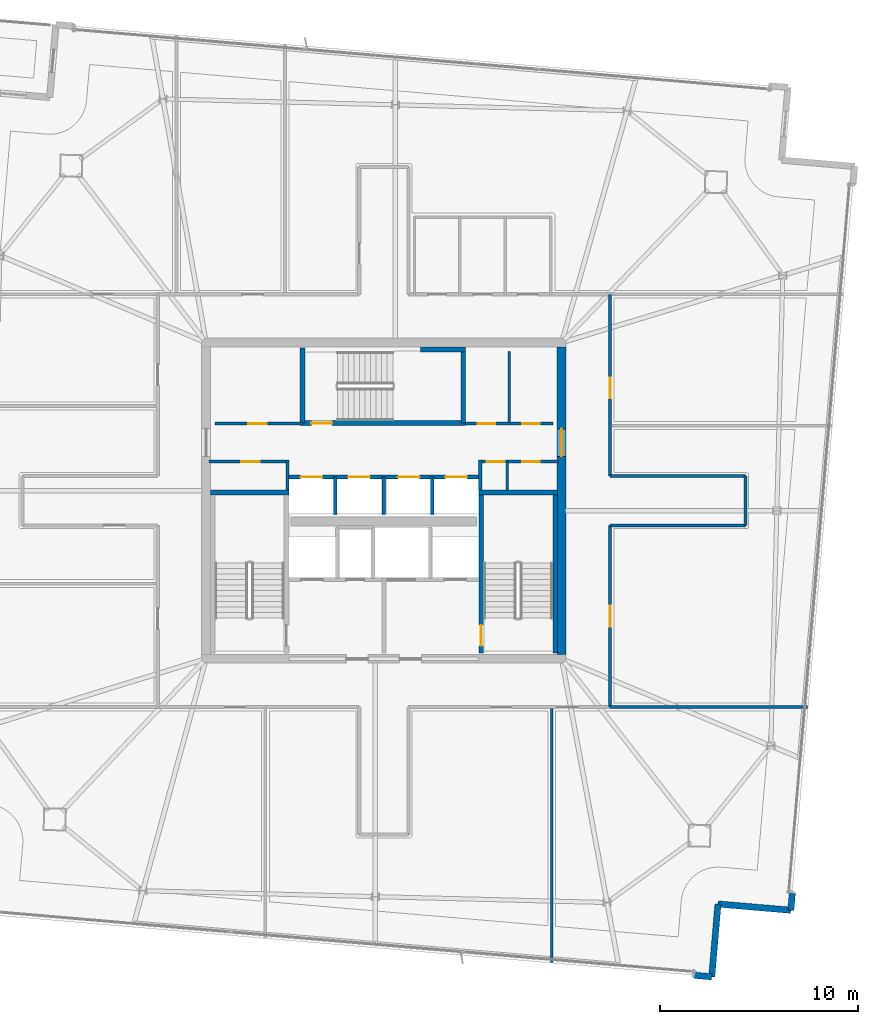
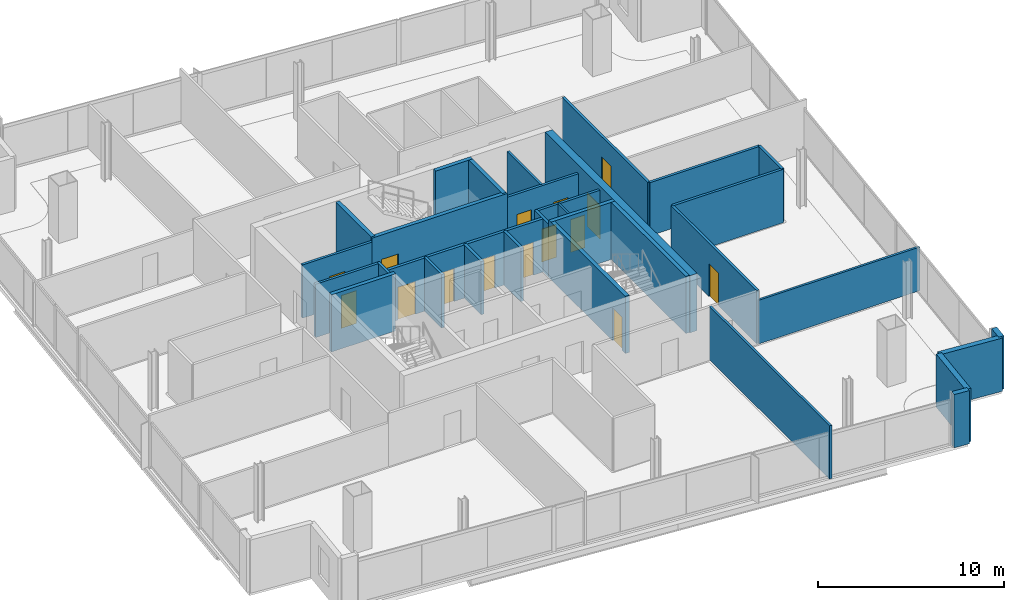
# One storey, part 20 of 24: 32 walls, 15 doors, 15 openings.
"""IFC4 building model written with IfcOpenShell, lengths in metres."""

import ifcopenshell
import ifcopenshell.guid

model = None  # the IFC model being written
_history = None  # IfcOwnerHistory: only IFC2X3 demands one
_inside = {}  # id of a spatial element -> (the spatial element, [elements in it])
_under = {}  # id of a project, library or spatial element -> (it, [spatial elements below it])
_declared = {}  # id of a project -> (the project, [libraries it declares])
_typed = {}  # id of a type object -> (the type object, [elements of that type])
_made_of = {}  # id of a material, layer set ... -> (it, [elements and type objects made of it])


def new_model(schema):
    """Start an empty IFC model of exactly this schema.

    Asked for "IFC4X3", IfcOpenShell would pick the latest addendum, in which some entities
    have other attributes; the version numbers below select the first issue.
    IFC2X3 requires an IfcOwnerHistory on every rooted entity: one is made here for all.
    """
    global model, _history
    if schema == "IFC4X3":
        model = ifcopenshell.file(schema_version=(4, 3, 0, 0))
    else:
        model = ifcopenshell.file(schema=schema)
    _inside.clear()
    _under.clear()
    _declared.clear()
    _typed.clear()
    _made_of.clear()
    _history = None
    if model.schema == "IFC2X3":
        org = make("IfcOrganization", Name="unknown")
        user = make(
            "IfcPersonAndOrganization",
            ThePerson=make("IfcPerson", FamilyName="unknown"),
            TheOrganization=org,
        )
        app = make(
            "IfcApplication",
            ApplicationDeveloper=org,
            Version="unknown",
            ApplicationFullName="unknown",
            ApplicationIdentifier="unknown",
        )
        _history = make(
            "IfcOwnerHistory",
            OwningUser=user,
            OwningApplication=app,
            ChangeAction="ADDED",
            CreationDate=0,
        )
    return model


def make(cls, **values):
    """One entity of the class cls with the attributes given. An attribute that is None is left unset."""
    return model.create_entity(
        cls, **{name: value for name, value in values.items() if value is not None}
    )


def rooted(cls, **values):
    """An entity with a GlobalId (a new one), such as an element, a storey or a relation."""
    return make(cls, GlobalId=ifcopenshell.guid.new(), OwnerHistory=_history, **values)


def si_unit(unit_type, name, prefix=None):
    """IfcSIUnit, for example si_unit("LENGTHUNIT", "METRE", prefix="MILLI")."""
    return make("IfcSIUnit", UnitType=unit_type, Prefix=prefix, Name=name)


def assignment(units):
    """IfcUnitAssignment: the units of a project."""
    return None if units is None else make("IfcUnitAssignment", Units=units)


def point(xyz):
    """IfcCartesianPoint."""
    return None if xyz is None else make("IfcCartesianPoint", Coordinates=xyz)


def direction(xyz):
    """IfcDirection."""
    return None if xyz is None else make("IfcDirection", DirectionRatios=xyz)


def frame(location, z_axis=None, x_axis=None):
    """IfcAxis2Placement3D, a coordinate frame: its origin and axes. An axis left out is left unset."""
    return make(
        "IfcAxis2Placement3D",
        Location=point(location),
        Axis=direction(z_axis),
        RefDirection=direction(x_axis),
    )


def frame_2d(location, x_axis=None):
    """IfcAxis2Placement2D, a coordinate frame in the plane: its origin and x axis."""
    return make(
        "IfcAxis2Placement2D", Location=point(location), RefDirection=direction(x_axis)
    )


def origin():
    """The frame at (0, 0, 0) with its axes left unset."""
    return frame((0.0, 0.0, 0.0))


def place(relative_to, where):
    """IfcLocalPlacement: puts the frame where relative to a parent placement (None: the world)."""
    return make(
        "IfcLocalPlacement", PlacementRelTo=relative_to, RelativePlacement=where
    )


def context(
    kind, dimensions, precision=None, world=None, true_north=None, identifier=None
):
    """IfcGeometricRepresentationContext, for example the 3D "Model" context."""
    return make(
        "IfcGeometricRepresentationContext",
        ContextIdentifier=identifier,
        ContextType=kind,
        CoordinateSpaceDimension=dimensions,
        Precision=precision,
        WorldCoordinateSystem=world,
        TrueNorth=true_north,
    )


def subcontext(parent, identifier, kind, view, scale=None):
    """IfcGeometricRepresentationSubContext, for example "Body" below "Model"."""
    return make(
        "IfcGeometricRepresentationSubContext",
        ContextIdentifier=identifier,
        ContextType=kind,
        ParentContext=parent,
        TargetScale=scale,
        TargetView=view,
    )


def project(units=None, contexts=None):
    """IfcProject with its units and contexts."""
    return rooted(
        "IfcProject",
        Name="project",
        RepresentationContexts=contexts,
        UnitsInContext=assignment(units),
    )


def spatial(cls, under=None, at=None, **own):
    """A site, building, storey or space (cls), placed at a placement, below another one or the project."""
    s = rooted(cls, ObjectPlacement=at, **own)
    if under is not None:
        _under.setdefault(under.id(), (under, []))[1].append(s)
    return s


def profile(cls, at=None, kind="AREA", **sizes):
    """A parametric profile (cls). Its sizes go by their IFC names, for example OverallWidth=200.0."""
    return make(cls, ProfileType=kind, Position=at, **sizes)


def rectangle(**sizes):
    """IfcRectangleProfileDef."""
    return profile("IfcRectangleProfileDef", **sizes)


def extrude(swept, where, along, depth):
    """IfcExtrudedAreaSolid: the profile swept, set in the frame where, extruded along a direction by depth."""
    return make(
        "IfcExtrudedAreaSolid",
        SweptArea=swept,
        Position=where,
        ExtrudedDirection=direction(along),
        Depth=depth,
    )


def shape(context_of_items, identifier, shape_type, items):
    """IfcShapeRepresentation: the items that make up one representation, for example the "Body"."""
    return make(
        "IfcShapeRepresentation",
        ContextOfItems=context_of_items,
        RepresentationIdentifier=identifier,
        RepresentationType=shape_type,
        Items=items,
    )


def material(Name=None, Category=None):
    """IfcMaterial."""
    return make("IfcMaterial", Name=Name, Category=Category)


def layer(
    of_material, thickness, ventilated=None, Name=None, Category=None, Priority=None
):
    """IfcMaterialLayer: one layer of a wall or slab, of a material (None: an air gap)."""
    return make(
        "IfcMaterialLayer",
        Material=of_material,
        LayerThickness=thickness,
        IsVentilated=ventilated,
        Name=Name,
        Category=Category,
        Priority=Priority,
    )


def layer_set(layers, Name=None):
    """IfcMaterialLayerSet."""
    return make("IfcMaterialLayerSet", MaterialLayers=layers, LayerSetName=Name)


def made_of(thing, what):
    """Note that an element or type object is made of a material, layer set ...; save() writes the relation."""
    if what is not None:
        _made_of.setdefault(what.id(), (what, []))[1].append(thing)
    return thing


def type_object(cls, material=None, **own):
    """A type object (cls), such as IfcWallType, which elements share."""
    return made_of(rooted(cls, **own), material)


def element(
    cls,
    number,
    at=None,
    inside=None,
    cuts=None,
    type_object=None,
    material=None,
    context=None,
    identifier="Body",
    shape_type=None,
    held_by="IfcProductDefinitionShape",
    body=None,
    shapes=None,
    **own,
):
    """One element of the class cls, such as IfcWall. Its Tag is "e" and its number.

    at: its placement. inside: the storey or other place that contains it. cuts: it is an
    opening in that element (IfcRelVoidsElement). A single representation is given by context,
    identifier, shape_type and body (its items); several are given by shapes. held_by: the class
    of the entity that holds the representations. save() writes the other relations.
    """
    e = rooted(cls, Tag="e%d" % number, ObjectPlacement=at, **own)
    if body is not None:
        shapes = [shape(context, identifier, shape_type, body)]
    if shapes is not None:
        e.Representation = make(held_by, Representations=shapes)
    if inside is not None:
        _inside.setdefault(inside.id(), (inside, []))[1].append(e)
    if cuts is not None:
        rooted(
            "IfcRelVoidsElement", RelatingBuildingElement=cuts, RelatedOpeningElement=e
        )
    if type_object is not None:
        _typed.setdefault(type_object.id(), (type_object, []))[1].append(e)
    return made_of(e, material)


def fill(opening, filler):
    """IfcRelFillsElement: the door or window that sits in an opening."""
    return rooted(
        "IfcRelFillsElement",
        RelatingOpeningElement=opening,
        RelatedBuildingElement=filler,
    )


def aggregate(whole, parts):
    """IfcRelAggregates: a whole, such as a stair, and the parts it consists of."""
    return rooted("IfcRelAggregates", RelatingObject=whole, RelatedObjects=parts)


def save(model, path):
    """Write the relations noted so far, then the file.

    IfcRelAggregates (storeys below a building ...), IfcRelContainedInSpatialStructure (elements
    in a storey), IfcRelDefinesByType, IfcRelAssociatesMaterial and IfcRelDeclares: one each for
    every whole, place, type object, material and project.
    """
    for whole, parts in _under.values():
        aggregate(whole, parts)
    for where, things in _inside.values():
        rooted(
            "IfcRelContainedInSpatialStructure",
            RelatedElements=things,
            RelatingStructure=where,
        )
    for kind, things in _typed.values():
        rooted("IfcRelDefinesByType", RelatedObjects=things, RelatingType=kind)
    for what, things in _made_of.values():
        rooted("IfcRelAssociatesMaterial", RelatedObjects=things, RelatingMaterial=what)
    for by, libraries in _declared.values():
        rooted("IfcRelDeclares", RelatingContext=by, RelatedDefinitions=libraries)
    model.write(path)


model = new_model("IFC4")

# Units and contexts
model_context = context("Model", 3, precision=1e-05, world=origin(), true_north=direction((0.0, 1.0)))
body_context = subcontext(model_context, "Body", "Model", "MODEL_VIEW")
ifc_project = project(units=[si_unit("LENGTHUNIT", "METRE"), si_unit("AREAUNIT", "SQUARE_METRE"), si_unit("VOLUMEUNIT", "CUBIC_METRE"), si_unit("PLANEANGLEUNIT", "RADIAN"), si_unit("MASSUNIT", "GRAM", prefix="KILO")], contexts=[model_context])

# Site, building, storey
site_placement = place(None, origin())
site = spatial("IfcSite", under=ifc_project, at=site_placement, CompositionType="ELEMENT")
building_placement = place(site_placement, origin())
building = spatial("IfcBuilding", under=site, at=building_placement, Name="Haldenkirk Collegiate Tower", CompositionType="ELEMENT")
storey_placement = place(building_placement, frame((0.0, 0.0, 313.949951171875)))
storey = spatial("IfcBuildingStorey", under=building, at=storey_placement, Name="L79", CompositionType="ELEMENT", Elevation=313.949951171875)

# Wall, opening, door
ifc_material_1 = material(Name="Concrete f'c 55 MPa", Category="concrete")
ifc_layer_1 = layer(ifc_material_1, 0.449951171875)
ifc_layer_set_1 = layer_set([ifc_layer_1], Name="Concrete f'c 55 MPa")
wall_type_1 = type_object("IfcWallType", Name="WL-CORE-450", PredefinedType="SHEAR", material=ifc_layer_set_1)
wall_1_placement = place(storey_placement, frame((45.0, 18.22509765625, 0.0), z_axis=(0.0, 0.0, 1.0), x_axis=(0.0, 1.0, 0.0)))
wall_1 = element("IfcWall", 1, at=wall_1_placement, inside=storey, type_object=wall_type_1, Name="L79 central core shear wall E", PredefinedType="SHEAR", context=body_context, shape_type="SweptSolid", body=[
    extrude(rectangle(XDim=15.5498046875, YDim=0.449951171875, at=frame_2d((7.77490234375, 0.0))), origin(), (0.0, 0.0, 1.0), 3.75),
])
opening_1_placement = place(wall_1_placement, frame((10.014892578125, 0.0, 0.0)))
opening_1 = element("IfcOpeningElement", 2, at=opening_1_placement, cuts=wall_1, Name="Opening D-03", PredefinedType="OPENING", context=body_context, shape_type="SweptSolid", body=[
    extrude(rectangle(XDim=1.39990234375, YDim=2.199951171875, at=frame_2d((0.699951171875, 1.10009765625))), frame((0.0, 0.23486328125, 0.0), z_axis=(0.0, -1.0, 0.0), x_axis=(1.0, 0.0, 0.0)), (0.0, 0.0, 1.0), 0.469970703125),
])
ifc_material_2 = material(Name="Galvanized fire-rated hollow steel door", Category="steel")
ifc_layer_2 = layer(ifc_material_2, 0.06005859375)
ifc_layer_set_2 = layer_set([ifc_layer_2], Name="Galvanized fire-rated hollow steel door")
door_type_1 = type_object("IfcDoorType", Name="DR-LOBBY-FD90-1400", OperationType="NOTDEFINED", PredefinedType="DOOR", material=ifc_layer_set_2)
door_1_placement = place(opening_1_placement, origin())
door_1 = element("IfcDoor", 3, at=door_1_placement, inside=storey, type_object=door_type_1, Name="L79 east lift lobby portal", OperationType="DOUBLE_DOOR_SINGLE_SWING", OverallHeight=2.199951171875, OverallWidth=1.39990234375, PredefinedType="DOOR", context=body_context, shape_type="SweptSolid", body=[
    extrude(rectangle(XDim=1.39990234375, YDim=2.199951171875, at=frame_2d((0.699951171875, 1.10009765625))), frame((0.0, 0.02490234375, 0.0), z_axis=(0.0, -1.0, 0.0), x_axis=(1.0, 0.0, 0.0)), (0.0, 0.0, 1.0), 0.050048828125),
])
fill(opening_1, door_1)

# Walls
ifc_material_3 = material(Name="Precast concrete f'c 40 MPa", Category="concrete")
ifc_layer_3 = layer(ifc_material_3, 0.320068359375)
ifc_layer_set_3 = layer_set([ifc_layer_3], Name="Precast concrete f'c 40 MPa")
wall_type_2 = type_object("IfcWallType", Name="WL-EXT-TWR-320", PredefinedType="STANDARD", material=ifc_layer_set_3)
wall_2_placement = place(storey_placement, frame((56.680908203125, 6.160888671875, 0.0), z_axis=(0.0, 0.0, 1.0), x_axis=(-0.085470404028, -0.996340709815, 0.0)))
element("IfcWall", 4, at=wall_2_placement, inside=storey, type_object=wall_type_2, Name="L79 precast corner pier SR", PredefinedType="STANDARD", context=body_context, shape_type="SweptSolid", body=[
    extrude(rectangle(XDim=0.899658203125, YDim=0.320068359375, at=frame_2d((0.44970703125, 0.0))), origin(), (0.0, 0.0, 1.0), 3.489990234375),
])
wall_3_placement = place(storey_placement, frame((52.6015625, 1.893798828125, 0.0), z_axis=(0.0, 0.0, 1.0), x_axis=(-0.996342691163, 0.085447304034, 0.0)))
element("IfcWall", 5, at=wall_3_placement, inside=storey, type_object=wall_type_2, Name="L79 precast corner pier WL", PredefinedType="STANDARD", context=body_context, shape_type="SweptSolid", body=[
    extrude(rectangle(XDim=0.89990234375, YDim=0.320068359375, at=frame_2d((0.449951171875, 0.0))), origin(), (0.0, 0.0, 1.0), 3.489990234375),
])
for number, where, z_axis, x_axis, name in (
    (6, (52.91748046875, 5.580322265625, 0.0), (0.0, 0.0, 1.0), (-0.085382426449, -0.996348252999, 0.0), "L79 bronze precast notch wall 11"),
    (7, (56.60400390625, 5.264404296875, 0.0), (0.0, 0.0, 1.0), (-0.996348252999, 0.085382426449, 0.0), "L79 bronze precast notch wall 12"),
):
    element("IfcWall", number, at=place(storey_placement, frame(where, z_axis=z_axis, x_axis=x_axis)), inside=storey, type_object=wall_type_2, Name=name, PredefinedType="STANDARD", context=body_context, shape_type="SweptSolid", body=[
        extrude(rectangle(XDim=3.699951171875, YDim=0.320068359375, at=frame_2d((1.85009765625, 0.0))), origin(), (0.0, 0.0, 1.0), 3.489990234375),
    ])

# Wall, opening, door
ifc_material_4 = material(Name="Acoustic fire-rated gypsum partition", Category="concrete")
ifc_layer_4 = layer(ifc_material_4, 0.159912109375)
ifc_layer_set_4 = layer_set([ifc_layer_4], Name="Acoustic fire-rated gypsum partition")
wall_type_3 = type_object("IfcWallType", Name="WL-INT-CORR-160", PredefinedType="PARTITIONING", material=ifc_layer_set_4)
wall_4_placement = place(storey_placement, frame((27.14990234375, 27.97998046875, 0.0), z_axis=(0.0, 0.0, 1.0), x_axis=(1.0, 0.0, 0.0)))
wall_4 = element("IfcWall", 8, at=wall_4_placement, inside=storey, type_object=wall_type_3, Name="L79 interior partition IW-L79-VCSW-N", PredefinedType="PARTITIONING", context=body_context, shape_type="SweptSolid", body=[
    extrude(rectangle(XDim=4.050048828125, YDim=0.159912109375, at=frame_2d((2.02490234375, 0.0))), origin(), (0.0, 0.0, 1.0), 3.489990234375),
])
opening_2_placement = place(wall_4_placement, frame((1.625, 0.0, 0.0)))
opening_2 = element("IfcOpeningElement", 9, at=opening_2_placement, cuts=wall_4, Name="Opening D-10", PredefinedType="OPENING", context=body_context, shape_type="SweptSolid", body=[
    extrude(rectangle(XDim=0.949951171875, YDim=2.14990234375, at=frame_2d((0.47509765625, 1.074951171875))), frame((0.0, 0.08984375, 0.0), z_axis=(0.0, -1.0, 0.0), x_axis=(1.0, 0.0, 0.0)), (0.0, 0.0, 1.0), 0.179931640625),
])
ifc_material_5 = material(Name="Solid-core architectural oak fire door", Category="wood")
ifc_layer_5 = layer(ifc_material_5, 0.06005859375)
ifc_layer_set_5 = layer_set([ifc_layer_5], Name="Solid-core architectural oak fire door")
door_type_2 = type_object("IfcDoorType", Name="DR-INT-FD60-950", OperationType="NOTDEFINED", PredefinedType="DOOR", material=ifc_layer_set_5)
door_2_placement = place(opening_2_placement, origin())
door_2 = element("IfcDoor", 10, at=door_2_placement, inside=storey, type_object=door_type_2, Name="L79 core tea pantry door", OperationType="SINGLE_SWING_RIGHT", OverallHeight=2.14990234375, OverallWidth=0.949951171875, PredefinedType="DOOR", context=body_context, shape_type="SweptSolid", body=[
    extrude(rectangle(XDim=0.949951171875, YDim=2.14990234375, at=frame_2d((0.47509765625, 1.074951171875))), frame((0.0, 0.02490234375, 0.0), z_axis=(0.0, -1.0, 0.0), x_axis=(1.0, 0.0, 0.0)), (0.0, 0.0, 1.0), 0.050048828125),
])
fill(opening_2, door_2)

# Wall
wall_5_placement = place(storey_placement, frame((31.1201171875, 26.5400390625, 0.0), z_axis=(0.0, 0.0, 1.0), x_axis=(0.0, 1.0, 0.0)))
element("IfcWall", 11, at=wall_5_placement, inside=storey, type_object=wall_type_3, Name="L79 interior partition IW-L79-VCSW-E", PredefinedType="PARTITIONING", context=body_context, shape_type="SweptSolid", body=[
    extrude(rectangle(XDim=1.510009765625, YDim=0.159912109375, at=frame_2d((0.7548828125, 0.0))), origin(), (0.0, 0.0, 1.0), 3.489990234375),
])

# Wall, openings, doors
wall_6_placement = place(storey_placement, frame((40.800048828125, 27.97998046875, 0.0), z_axis=(0.0, 0.0, 1.0), x_axis=(1.0, 0.0, 0.0)))
wall_6 = element("IfcWall", 12, at=wall_6_placement, inside=storey, type_object=wall_type_3, Name="L79 interior partition IW-L79-VCSE-N", PredefinedType="PARTITIONING", context=body_context, shape_type="SweptSolid", body=[
    extrude(rectangle(XDim=4.050048828125, YDim=0.159912109375, at=frame_2d((2.02490234375, 0.0))), origin(), (0.0, 0.0, 1.0), 3.489990234375),
])
opening_3_placement = place(wall_6_placement, frame((0.407470703125, 0.0, 0.0)))
opening_3 = element("IfcOpeningElement", 13, at=opening_3_placement, cuts=wall_6, Name="Opening D-11", PredefinedType="OPENING", context=body_context, shape_type="SweptSolid", body=[
    extrude(rectangle(XDim=0.89990234375, YDim=2.14990234375, at=frame_2d((0.449951171875, 1.074951171875))), frame((0.0, 0.08984375, 0.0), z_axis=(0.0, -1.0, 0.0), x_axis=(1.0, 0.0, 0.0)), (0.0, 0.0, 1.0), 0.179931640625),
])
opening_4_placement = place(wall_6_placement, frame((2.199951171875, 0.0, 0.0)))
opening_4 = element("IfcOpeningElement", 14, at=opening_4_placement, cuts=wall_6, Name="Opening D-11", PredefinedType="OPENING", context=body_context, shape_type="SweptSolid", body=[
    extrude(rectangle(XDim=0.89990234375, YDim=2.14990234375, at=frame_2d((0.449951171875, 1.074951171875))), frame((0.0, 0.08984375, 0.0), z_axis=(0.0, -1.0, 0.0), x_axis=(1.0, 0.0, 0.0)), (0.0, 0.0, 1.0), 0.179931640625),
])
ifc_layer_6 = layer(ifc_material_5, 0.06005859375)
ifc_layer_set_6 = layer_set([ifc_layer_6], Name="Solid-core architectural oak fire door")
door_type_3 = type_object("IfcDoorType", Name="DR-INT-FD60-900", OperationType="NOTDEFINED", PredefinedType="DOOR", material=ifc_layer_set_6)
door_3_placement = place(opening_3_placement, origin())
door_3 = element("IfcDoor", 15, at=door_3_placement, inside=storey, type_object=door_type_3, Name="L79 core copy room door", OperationType="SINGLE_SWING_LEFT", OverallHeight=2.14990234375, OverallWidth=0.89990234375, PredefinedType="DOOR", context=body_context, shape_type="SweptSolid", body=[
    extrude(rectangle(XDim=0.89990234375, YDim=2.14990234375, at=frame_2d((0.449951171875, 1.074951171875))), frame((0.0, 0.02490234375, 0.0), z_axis=(0.0, -1.0, 0.0), x_axis=(1.0, 0.0, 0.0)), (0.0, 0.0, 1.0), 0.050048828125),
])
fill(opening_3, door_3)
door_4_placement = place(opening_4_placement, origin())
door_4 = element("IfcDoor", 16, at=door_4_placement, inside=storey, type_object=door_type_3, Name="L79 core records store door", OperationType="SINGLE_SWING_RIGHT", OverallHeight=2.14990234375, OverallWidth=0.89990234375, PredefinedType="DOOR", context=body_context, shape_type="SweptSolid", body=[
    extrude(rectangle(XDim=0.89990234375, YDim=2.14990234375, at=frame_2d((0.449951171875, 1.074951171875))), frame((0.0, 0.02490234375, 0.0), z_axis=(0.0, -1.0, 0.0), x_axis=(1.0, 0.0, 0.0)), (0.0, 0.0, 1.0), 0.050048828125),
])
fill(opening_4, door_4)

# Wall
wall_7_placement = place(storey_placement, frame((40.8798828125, 26.5400390625, 0.0), z_axis=(0.0, 0.0, 1.0), x_axis=(0.0, 1.0, 0.0)))
element("IfcWall", 17, at=wall_7_placement, inside=storey, type_object=wall_type_3, Name="L79 interior partition IW-L79-VCSE-W", PredefinedType="PARTITIONING", context=body_context, shape_type="SweptSolid", body=[
    extrude(rectangle(XDim=1.510009765625, YDim=0.159912109375, at=frame_2d((0.7548828125, 0.0))), origin(), (0.0, 0.0, 1.0), 3.489990234375),
])

# Wall, opening, door
wall_8_placement = place(storey_placement, frame((27.449951171875, 29.89990234375, 0.0), z_axis=(0.0, 0.0, 1.0), x_axis=(1.0, 0.0, 0.0)))
wall_8 = element("IfcWall", 18, at=wall_8_placement, inside=storey, type_object=wall_type_3, Name="L79 interior partition IW-L79-PLS", PredefinedType="PARTITIONING", context=body_context, shape_type="SweptSolid", body=[
    extrude(rectangle(XDim=4.429931640625, YDim=0.159912109375, at=frame_2d((2.21484375, 0.0))), origin(), (0.0, 0.0, 1.0), 3.489990234375),
])
opening_5_placement = place(wall_8_placement, frame((1.675048828125, 0.0, 0.0)))
opening_5 = element("IfcOpeningElement", 19, at=opening_5_placement, cuts=wall_8, Name="Opening D-10", PredefinedType="OPENING", context=body_context, shape_type="SweptSolid", body=[
    extrude(rectangle(XDim=0.949951171875, YDim=2.14990234375, at=frame_2d((0.47509765625, 1.074951171875))), frame((0.0, 0.08984375, 0.0), z_axis=(0.0, -1.0, 0.0), x_axis=(1.0, 0.0, 0.0)), (0.0, 0.0, 1.0), 0.179931640625),
])
door_5_placement = place(opening_5_placement, origin())
door_5 = element("IfcDoor", 20, at=door_5_placement, inside=storey, type_object=door_type_2, Name="L79 archive door", OperationType="SINGLE_SWING_LEFT", OverallHeight=2.14990234375, OverallWidth=0.949951171875, PredefinedType="DOOR", context=body_context, shape_type="SweptSolid", body=[
    extrude(rectangle(XDim=0.949951171875, YDim=2.14990234375, at=frame_2d((0.47509765625, 1.074951171875))), frame((0.0, 0.02490234375, 0.0), z_axis=(0.0, -1.0, 0.0), x_axis=(1.0, 0.0, 0.0)), (0.0, 0.0, 1.0), 0.050048828125),
])
fill(opening_5, door_5)

# Wall, openings, doors
wall_9_placement = place(storey_placement, frame((40.1201171875, 29.89990234375, 0.0), z_axis=(0.0, 0.0, 1.0), x_axis=(1.0, 0.0, 0.0)))
wall_9 = element("IfcWall", 21, at=wall_9_placement, inside=storey, type_object=wall_type_3, Name="L79 interior partition IW-L79-PMS", PredefinedType="PARTITIONING", context=body_context, shape_type="SweptSolid", body=[
    extrude(rectangle(XDim=4.429931640625, YDim=0.159912109375, at=frame_2d((2.21484375, 0.0))), origin(), (0.0, 0.0, 1.0), 3.489990234375),
])
opening_6_placement = place(wall_9_placement, frame((0.6298828125, 0.0, 0.0)))
opening_6 = element("IfcOpeningElement", 22, at=opening_6_placement, cuts=wall_9, Name="Opening D-11", PredefinedType="OPENING", context=body_context, shape_type="SweptSolid", body=[
    extrude(rectangle(XDim=0.89990234375, YDim=2.14990234375, at=frame_2d((0.449951171875, 1.074951171875))), frame((0.0, 0.08984375, 0.0), z_axis=(0.0, -1.0, 0.0), x_axis=(1.0, 0.0, 0.0)), (0.0, 0.0, 1.0), 0.179931640625),
])
opening_7_placement = place(wall_9_placement, frame((2.8798828125, 0.0, 0.0)))
opening_7 = element("IfcOpeningElement", 23, at=opening_7_placement, cuts=wall_9, Name="Opening D-11", PredefinedType="OPENING", context=body_context, shape_type="SweptSolid", body=[
    extrude(rectangle(XDim=0.89990234375, YDim=2.14990234375, at=frame_2d((0.449951171875, 1.074951171875))), frame((0.0, 0.08984375, 0.0), z_axis=(0.0, -1.0, 0.0), x_axis=(1.0, 0.0, 0.0)), (0.0, 0.0, 1.0), 0.179931640625),
])
door_6_placement = place(opening_6_placement, origin())
door_6 = element("IfcDoor", 24, at=door_6_placement, inside=storey, type_object=door_type_3, Name="L79 staff WC door", OperationType="SINGLE_SWING_RIGHT", OverallHeight=2.14990234375, OverallWidth=0.89990234375, PredefinedType="DOOR", context=body_context, shape_type="SweptSolid", body=[
    extrude(rectangle(XDim=0.89990234375, YDim=2.14990234375, at=frame_2d((0.449951171875, 1.074951171875))), frame((0.0, 0.02490234375, 0.0), z_axis=(0.0, -1.0, 0.0), x_axis=(1.0, 0.0, 0.0)), (0.0, 0.0, 1.0), 0.050048828125),
])
fill(opening_6, door_6)
door_7_placement = place(opening_7_placement, origin())
door_7 = element("IfcDoor", 25, at=door_7_placement, inside=storey, type_object=door_type_3, Name="L79 seminar alcove door", OperationType="SINGLE_SWING_LEFT", OverallHeight=2.14990234375, OverallWidth=0.89990234375, PredefinedType="DOOR", context=body_context, shape_type="SweptSolid", body=[
    extrude(rectangle(XDim=0.89990234375, YDim=2.14990234375, at=frame_2d((0.449951171875, 1.074951171875))), frame((0.0, 0.02490234375, 0.0), z_axis=(0.0, -1.0, 0.0), x_axis=(1.0, 0.0, 0.0)), (0.0, 0.0, 1.0), 0.050048828125),
])
fill(opening_7, door_7)

# Wall, opening, door
wall_10_placement = place(storey_placement, frame((47.449951171875, 15.550048828125, 0.0), z_axis=(0.0, 0.0, 1.0), x_axis=(0.0, 1.0, 0.0)))
wall_10 = element("IfcWall", 26, at=wall_10_placement, inside=storey, type_object=wall_type_3, Name="L79 interior partition IW-L79-CE1", PredefinedType="PARTITIONING", context=body_context, shape_type="SweptSolid", body=[
    extrude(rectangle(XDim=9.199951171875, YDim=0.159912109375, at=frame_2d((4.60009765625, 0.0))), origin(), (0.0, 0.0, 1.0), 3.489990234375),
])
opening_8_placement = place(wall_10_placement, frame((4.074951171875, 0.0, 0.0)))
opening_8 = element("IfcOpeningElement", 27, at=opening_8_placement, cuts=wall_10, Name="Opening D-09", PredefinedType="OPENING", context=body_context, shape_type="SweptSolid", body=[
    extrude(rectangle(XDim=1.050048828125, YDim=2.14990234375, at=frame_2d((0.52490234375, 1.074951171875))), frame((0.0, 0.08984375, 0.0), z_axis=(0.0, -1.0, 0.0), x_axis=(1.0, 0.0, 0.0)), (0.0, 0.0, 1.0), 0.179931640625),
])
ifc_layer_7 = layer(ifc_material_5, 0.06005859375)
ifc_layer_set_7 = layer_set([ifc_layer_7], Name="Solid-core architectural oak fire door")
door_type_4 = type_object("IfcDoorType", Name="DR-INT-FD60-1050", OperationType="NOTDEFINED", PredefinedType="DOOR", material=ifc_layer_set_7)
door_8_placement = place(opening_8_placement, origin())
door_8 = element("IfcDoor", 28, at=door_8_placement, inside=storey, type_object=door_type_4, Name="L79 Graduate Seminar Room 10 door", OperationType="SINGLE_SWING_RIGHT", OverallHeight=2.14990234375, OverallWidth=1.050048828125, PredefinedType="DOOR", context=body_context, shape_type="SweptSolid", body=[
    extrude(rectangle(XDim=1.050048828125, YDim=2.14990234375, at=frame_2d((0.52490234375, 1.074951171875))), frame((0.0, 0.02490234375, 0.0), z_axis=(0.0, -1.0, 0.0), x_axis=(1.0, 0.0, 0.0)), (0.0, 0.0, 1.0), 0.050048828125),
])
fill(opening_8, door_8)

wall_11_placement = place(storey_placement, frame((47.449951171875, 27.25, 0.0), z_axis=(0.0, 0.0, 1.0), x_axis=(0.0, 1.0, 0.0)))
wall_11 = element("IfcWall", 29, at=wall_11_placement, inside=storey, type_object=wall_type_3, Name="L79 interior partition IW-L79-CE2", PredefinedType="PARTITIONING", context=body_context, shape_type="SweptSolid", body=[
    extrude(rectangle(XDim=9.199951171875, YDim=0.159912109375, at=frame_2d((4.60009765625, 0.0))), origin(), (0.0, 0.0, 1.0), 3.489990234375),
])
opening_9_placement = place(wall_11_placement, frame((3.927001953125, 0.0, 0.0)))
opening_9 = element("IfcOpeningElement", 30, at=opening_9_placement, cuts=wall_11, Name="Opening D-09", PredefinedType="OPENING", context=body_context, shape_type="SweptSolid", body=[
    extrude(rectangle(XDim=1.050048828125, YDim=2.14990234375, at=frame_2d((0.52490234375, 1.074951171875))), frame((0.0, 0.08984375, 0.0), z_axis=(0.0, -1.0, 0.0), x_axis=(1.0, 0.0, 0.0)), (0.0, 0.0, 1.0), 0.179931640625),
])
door_9_placement = place(opening_9_placement, origin())
door_9 = element("IfcDoor", 31, at=door_9_placement, inside=storey, type_object=door_type_4, Name="L79 Colloquium Conference Room 11 door", OperationType="SINGLE_SWING_LEFT", OverallHeight=2.14990234375, OverallWidth=1.050048828125, PredefinedType="DOOR", context=body_context, shape_type="SweptSolid", body=[
    extrude(rectangle(XDim=1.050048828125, YDim=2.14990234375, at=frame_2d((0.52490234375, 1.074951171875))), frame((0.0, 0.02490234375, 0.0), z_axis=(0.0, -1.0, 0.0), x_axis=(1.0, 0.0, 0.0)), (0.0, 0.0, 1.0), 0.050048828125),
])
fill(opening_9, door_9)

# Walls
for number, where, z_axis, x_axis, name in (
    (32, (47.449951171875, 24.75, 0.0), (0.0, 0.0, 1.0), (1.0, 0.0, 0.0), "L79 interior partition IW-L79-EPS"),
    (33, (47.449951171875, 27.25, 0.0), (0.0, 0.0, 1.0), (1.0, 0.0, 0.0), "L79 interior partition IW-L79-EPN"),
):
    element("IfcWall", number, at=place(storey_placement, frame(where, z_axis=z_axis, x_axis=x_axis)), inside=storey, type_object=wall_type_3, Name=name, PredefinedType="PARTITIONING", context=body_context, shape_type="SweptSolid", body=[
        extrude(rectangle(XDim=6.85009765625, YDim=0.159912109375, at=frame_2d((3.425048828125, 0.0))), origin(), (0.0, 0.0, 1.0), 3.489990234375),
    ])
wall_12_placement = place(storey_placement, frame((54.300048828125, 24.75, 0.0), z_axis=(0.0, 0.0, 1.0), x_axis=(0.0, 1.0, 0.0)))
element("IfcWall", 34, at=wall_12_placement, inside=storey, type_object=wall_type_3, Name="L79 interior partition IW-L79-EPE", PredefinedType="PARTITIONING", context=body_context, shape_type="SweptSolid", body=[
    extrude(rectangle(XDim=2.5, YDim=0.159912109375, at=frame_2d((1.25, 0.0))), origin(), (0.0, 0.0, 1.0), 3.489990234375),
])
ifc_layer_8 = layer(ifc_material_4, 0.139892578125)
ifc_layer_set_8 = layer_set([ifc_layer_8], Name="Acoustic fire-rated gypsum partition")
wall_type_4 = type_object("IfcWallType", Name="WL-INT-DIV-140", PredefinedType="PARTITIONING", material=ifc_layer_set_8)
wall_13_placement = place(storey_placement, frame((42.35009765625, 29.949951171875, 0.0), z_axis=(0.0, 0.0, 1.0), x_axis=(0.0, 1.0, 0.0)))
element("IfcWall", 35, at=wall_13_placement, inside=storey, type_object=wall_type_4, Name="L79 interior partition IW-L79-PMDIV", PredefinedType="PARTITIONING", context=body_context, shape_type="SweptSolid", body=[
    extrude(rectangle(XDim=3.60009765625, YDim=0.139892578125, at=frame_2d((1.800048828125, 0.0))), origin(), (0.0, 0.0, 1.0), 3.489990234375),
])
wall_14_placement = place(storey_placement, frame((47.449951171875, 15.550048828125, 0.0), z_axis=(0.0, 0.0, 1.0), x_axis=(1.0, 0.0, 0.0)))
element("IfcWall", 36, at=wall_14_placement, inside=storey, type_object=wall_type_4, Name="L79 interior partition IW-L79-BES", PredefinedType="PARTITIONING", context=body_context, shape_type="SweptSolid", body=[
    extrude(rectangle(XDim=9.995849609375, YDim=0.139892578125, at=frame_2d((4.998046875, 0.0))), origin(), (0.0, 0.0, 1.0), 2.8681640625),
])
wall_15_placement = place(storey_placement, frame((44.5, 2.62841796875, 0.0), z_axis=(0.0, 0.0, 1.0), x_axis=(0.0, 1.0, 0.0)))
element("IfcWall", 37, at=wall_15_placement, inside=storey, type_object=wall_type_4, Name="L79 interior partition IW-L79-RS2", PredefinedType="PARTITIONING", context=body_context, shape_type="SweptSolid", body=[
    extrude(rectangle(XDim=12.921630859375, YDim=0.139892578125, at=frame_2d((6.4609375, 0.0))), origin(), (0.0, 0.0, 1.0), 3.489990234375),
])

# Wall, openings, doors
ifc_material_6 = material(Name="Fire-rated gypsum shaftboard assembly", Category="concrete")
ifc_layer_9 = layer(ifc_material_6, 0.179931640625)
ifc_layer_set_9 = layer_set([ifc_layer_9], Name="Fire-rated gypsum shaftboard assembly")
wall_type_5 = type_object("IfcWallType", Name="WL-INT-SHAFT-180", PredefinedType="PARTITIONING", material=ifc_layer_set_9)
wall_16_placement = place(storey_placement, frame((31.199951171875, 27.199951171875, 0.0), z_axis=(0.0, 0.0, 1.0), x_axis=(1.0, 0.0, 0.0)))
wall_16 = element("IfcWall", 38, at=wall_16_placement, inside=storey, type_object=wall_type_5, Name="L79 interior partition IW-L79-PHN", PredefinedType="PARTITIONING", context=body_context, shape_type="SweptSolid", body=[
    extrude(rectangle(XDim=9.60009765625, YDim=0.179931640625, at=frame_2d((4.800048828125, 0.0))), origin(), (0.0, 0.0, 1.0), 3.489990234375),
])
opening_10_placement = place(wall_16_placement, frame((0.590087890625, 0.0, 0.0)))
opening_10 = element("IfcOpeningElement", 39, at=opening_10_placement, cuts=wall_16, Name="Opening LD-11", PredefinedType="OPENING", context=body_context, shape_type="SweptSolid", body=[
    extrude(rectangle(XDim=1.10009765625, YDim=2.14990234375, at=frame_2d((0.550048828125, 1.074951171875))), frame((0.0, 0.099853515625, 0.0), z_axis=(0.0, -1.0, 0.0), x_axis=(1.0, 0.0, 0.0)), (0.0, 0.0, 1.0), 0.199951171875),
])
opening_11_placement = place(wall_16_placement, frame((2.989990234375, 0.0, 0.0)))
opening_11 = element("IfcOpeningElement", 40, at=opening_11_placement, cuts=wall_16, Name="Opening LD-11", PredefinedType="OPENING", context=body_context, shape_type="SweptSolid", body=[
    extrude(rectangle(XDim=1.10009765625, YDim=2.14990234375, at=frame_2d((0.550048828125, 1.074951171875))), frame((0.0, 0.099853515625, 0.0), z_axis=(0.0, -1.0, 0.0), x_axis=(1.0, 0.0, 0.0)), (0.0, 0.0, 1.0), 0.199951171875),
])
opening_12_placement = place(wall_16_placement, frame((5.510009765625, 0.0, 0.0)))
opening_12 = element("IfcOpeningElement", 41, at=opening_12_placement, cuts=wall_16, Name="Opening LD-11", PredefinedType="OPENING", context=body_context, shape_type="SweptSolid", body=[
    extrude(rectangle(XDim=1.10009765625, YDim=2.14990234375, at=frame_2d((0.550048828125, 1.074951171875))), frame((0.0, 0.099853515625, 0.0), z_axis=(0.0, -1.0, 0.0), x_axis=(1.0, 0.0, 0.0)), (0.0, 0.0, 1.0), 0.199951171875),
])
opening_13_placement = place(wall_16_placement, frame((7.909912109375, 0.0, 0.0)))
opening_13 = element("IfcOpeningElement", 42, at=opening_13_placement, cuts=wall_16, Name="Opening LD-11", PredefinedType="OPENING", context=body_context, shape_type="SweptSolid", body=[
    extrude(rectangle(XDim=1.10009765625, YDim=2.14990234375, at=frame_2d((0.550048828125, 1.074951171875))), frame((0.0, 0.099853515625, 0.0), z_axis=(0.0, -1.0, 0.0), x_axis=(1.0, 0.0, 0.0)), (0.0, 0.0, 1.0), 0.199951171875),
])
ifc_material_7 = material(Name="Brushed architectural stainless steel", Category="steel")
ifc_layer_10 = layer(ifc_material_7, 0.06005859375)
ifc_layer_set_10 = layer_set([ifc_layer_10], Name="Brushed architectural stainless steel")
door_type_5 = type_object("IfcDoorType", Name="LD-PASS-1100", OperationType="NOTDEFINED", PredefinedType="DOOR", material=ifc_layer_set_10)
door_10_placement = place(opening_10_placement, origin())
door_10 = element("IfcDoor", 43, at=door_10_placement, inside=storey, type_object=door_type_5, Name="L79 Elevator PH1 sliding landing door", OperationType="SLIDING_TO_LEFT", OverallHeight=2.14990234375, OverallWidth=1.10009765625, PredefinedType="DOOR", context=body_context, shape_type="SweptSolid", body=[
    extrude(rectangle(XDim=1.10009765625, YDim=2.14990234375, at=frame_2d((0.550048828125, 1.074951171875))), frame((0.0, 0.02490234375, 0.0), z_axis=(0.0, -1.0, 0.0), x_axis=(1.0, 0.0, 0.0)), (0.0, 0.0, 1.0), 0.050048828125),
])
fill(opening_10, door_10)
door_11_placement = place(opening_11_placement, origin())
door_11 = element("IfcDoor", 44, at=door_11_placement, inside=storey, type_object=door_type_5, Name="L79 Elevator PH2 sliding landing door", OperationType="SLIDING_TO_LEFT", OverallHeight=2.14990234375, OverallWidth=1.10009765625, PredefinedType="DOOR", context=body_context, shape_type="SweptSolid", body=[
    extrude(rectangle(XDim=1.10009765625, YDim=2.14990234375, at=frame_2d((0.550048828125, 1.074951171875))), frame((0.0, 0.02490234375, 0.0), z_axis=(0.0, -1.0, 0.0), x_axis=(1.0, 0.0, 0.0)), (0.0, 0.0, 1.0), 0.050048828125),
])
fill(opening_11, door_11)
door_12_placement = place(opening_12_placement, origin())
door_12 = element("IfcDoor", 45, at=door_12_placement, inside=storey, type_object=door_type_5, Name="L79 Elevator PH3 sliding landing door", OperationType="SLIDING_TO_LEFT", OverallHeight=2.14990234375, OverallWidth=1.10009765625, PredefinedType="DOOR", context=body_context, shape_type="SweptSolid", body=[
    extrude(rectangle(XDim=1.10009765625, YDim=2.14990234375, at=frame_2d((0.550048828125, 1.074951171875))), frame((0.0, 0.02490234375, 0.0), z_axis=(0.0, -1.0, 0.0), x_axis=(1.0, 0.0, 0.0)), (0.0, 0.0, 1.0), 0.050048828125),
])
fill(opening_12, door_12)
door_13_placement = place(opening_13_placement, origin())
door_13 = element("IfcDoor", 46, at=door_13_placement, inside=storey, type_object=door_type_5, Name="L79 Elevator PH4 sliding landing door", OperationType="SLIDING_TO_LEFT", OverallHeight=2.14990234375, OverallWidth=1.10009765625, PredefinedType="DOOR", context=body_context, shape_type="SweptSolid", body=[
    extrude(rectangle(XDim=1.10009765625, YDim=2.14990234375, at=frame_2d((0.550048828125, 1.074951171875))), frame((0.0, 0.02490234375, 0.0), z_axis=(0.0, -1.0, 0.0), x_axis=(1.0, 0.0, 0.0)), (0.0, 0.0, 1.0), 0.050048828125),
])
fill(opening_13, door_13)

# Walls
for number, where, z_axis, x_axis, name in (
    (47, (33.5400390625, 25.300048828125, 0.0), (0.0, 0.0, 1.0), (0.0, 1.0, 0.0), "L79 interior partition IW-L79-PHV1"),
    (48, (36.0, 25.300048828125, 0.0), (0.0, 0.0, 1.0), (0.0, 1.0, 0.0), "L79 interior partition IW-L79-PHV2"),
    (49, (38.4599609375, 25.300048828125, 0.0), (0.0, 0.0, 1.0), (0.0, 1.0, 0.0), "L79 interior partition IW-L79-PHV3"),
):
    element("IfcWall", number, at=place(storey_placement, frame(where, z_axis=z_axis, x_axis=x_axis)), inside=storey, type_object=wall_type_5, Name=name, PredefinedType="PARTITIONING", context=body_context, shape_type="SweptSolid", body=[
        extrude(rectangle(XDim=1.89990234375, YDim=0.179931640625, at=frame_2d((0.949951171875, 0.0))), origin(), (0.0, 0.0, 1.0), 3.489990234375),
    ])
ifc_layer_11 = layer(ifc_material_4, 0.1201171875)
ifc_layer_set_11 = layer_set([ifc_layer_11], Name="Acoustic fire-rated gypsum partition")
wall_type_6 = type_object("IfcWallType", Name="WL-INT-WET-120", PredefinedType="PARTITIONING", material=ifc_layer_set_11)
wall_17_placement = place(storey_placement, frame((42.25, 26.5400390625, 0.0), z_axis=(0.0, 0.0, 1.0), x_axis=(0.0, 1.0, 0.0)))
element("IfcWall", 50, at=wall_17_placement, inside=storey, type_object=wall_type_6, Name="L79 interior partition IW-L79-VCSE-M", PredefinedType="PARTITIONING", context=body_context, shape_type="SweptSolid", body=[
    extrude(rectangle(XDim=1.43994140625, YDim=0.1201171875, at=frame_2d((0.719970703125, 0.0))), origin(), (0.0, 0.0, 1.0), 3.489990234375),
])
ifc_layer_12 = layer(ifc_material_1, 0.239990234375)
ifc_layer_set_12 = layer_set([ifc_layer_12], Name="Concrete f'c 55 MPa")
wall_type_7 = type_object("IfcWallType", Name="WL-SHAFT-240", PredefinedType="SHEAR", material=ifc_layer_set_12)
wall_18_placement = place(storey_placement, frame((27.2099609375, 26.419921875, 0.0), z_axis=(0.0, 0.0, 1.0), x_axis=(1.0, 0.0, 0.0)))
element("IfcWall", 51, at=wall_18_placement, inside=storey, type_object=wall_type_7, Name="L79 stair shaft shear wall SW-L79-ST1N", PredefinedType="SHEAR", context=body_context, shape_type="SweptSolid", body=[
    extrude(rectangle(XDim=3.97998046875, YDim=0.239990234375, at=frame_2d((1.989990234375, 0.0))), origin(), (0.0, 0.0, 1.0), 3.75),
])

# Wall, opening, door
wall_19_placement = place(storey_placement, frame((40.929931640625, 18.280029296875, 0.0), z_axis=(0.0, 0.0, 1.0), x_axis=(0.0, 1.0, 0.0)))
wall_19 = element("IfcWall", 52, at=wall_19_placement, inside=storey, type_object=wall_type_7, Name="L79 stair shaft shear wall SW-L79-ST2W", PredefinedType="SHEAR", context=body_context, shape_type="SweptSolid", body=[
    extrude(rectangle(XDim=8.260009765625, YDim=0.239990234375, at=frame_2d((4.1298828125, 0.0))), origin(), (0.0, 0.0, 1.0), 3.75),
])
opening_14_placement = place(wall_19_placement, frame((0.364990234375, 0.0, 0.0)))
opening_14 = element("IfcOpeningElement", 53, at=opening_14_placement, cuts=wall_19, Name="Opening D-01", PredefinedType="OPENING", context=body_context, shape_type="SweptSolid", body=[
    extrude(rectangle(XDim=1.050048828125, YDim=2.14990234375, at=frame_2d((0.52490234375, 1.074951171875))), frame((0.0, 0.1298828125, 0.0), z_axis=(0.0, -1.0, 0.0), x_axis=(1.0, 0.0, 0.0)), (0.0, 0.0, 1.0), 0.260009765625),
])
ifc_layer_13 = layer(ifc_material_2, 0.06005859375)
ifc_layer_set_13 = layer_set([ifc_layer_13], Name="Galvanized fire-rated hollow steel door")
door_type_6 = type_object("IfcDoorType", Name="DR-STAIR-FD90-1050", OperationType="NOTDEFINED", PredefinedType="DOOR", material=ifc_layer_set_13)
door_14_placement = place(opening_14_placement, origin())
door_14 = element("IfcDoor", 54, at=door_14_placement, inside=storey, type_object=door_type_6, Name="L79 Stair 2 door", OperationType="SINGLE_SWING_RIGHT", OverallHeight=2.14990234375, OverallWidth=1.050048828125, PredefinedType="DOOR", context=body_context, shape_type="SweptSolid", body=[
    extrude(rectangle(XDim=1.050048828125, YDim=2.14990234375, at=frame_2d((0.52490234375, 1.074951171875))), frame((0.0, 0.02490234375, 0.0), z_axis=(0.0, -1.0, 0.0), x_axis=(1.0, 0.0, 0.0)), (0.0, 0.0, 1.0), 0.050048828125),
])
fill(opening_14, door_14)

# Walls
wall_20_placement = place(storey_placement, frame((40.81005859375, 26.419921875, 0.0), z_axis=(0.0, 0.0, 1.0), x_axis=(1.0, 0.0, 0.0)))
element("IfcWall", 55, at=wall_20_placement, inside=storey, type_object=wall_type_7, Name="L79 stair shaft shear wall SW-L79-ST2N", PredefinedType="SHEAR", context=body_context, shape_type="SweptSolid", body=[
    extrude(rectangle(XDim=3.97998046875, YDim=0.239990234375, at=frame_2d((1.989990234375, 0.0))), origin(), (0.0, 0.0, 1.0), 3.75),
])
wall_21_placement = place(storey_placement, frame((44.669921875, 18.280029296875, 0.0), z_axis=(0.0, 0.0, 1.0), x_axis=(0.0, 1.0, 0.0)))
element("IfcWall", 56, at=wall_21_placement, inside=storey, type_object=wall_type_7, Name="L79 stair shaft shear wall SW-L79-ST2E", PredefinedType="SHEAR", context=body_context, shape_type="SweptSolid", body=[
    extrude(rectangle(XDim=8.260009765625, YDim=0.239990234375, at=frame_2d((4.1298828125, 0.0))), origin(), (0.0, 0.0, 1.0), 3.75),
])

# Wall, opening, door
wall_22_placement = place(storey_placement, frame((31.760009765625, 29.929931640625, 0.0), z_axis=(0.0, 0.0, 1.0), x_axis=(1.0, 0.0, 0.0)))
wall_22 = element("IfcWall", 57, at=wall_22_placement, inside=storey, type_object=wall_type_7, Name="L79 stair shaft shear wall SW-L79-ST3S", PredefinedType="SHEAR", context=body_context, shape_type="SweptSolid", body=[
    extrude(rectangle(XDim=8.3798828125, YDim=0.239990234375, at=frame_2d((4.18994140625, 0.0))), origin(), (0.0, 0.0, 1.0), 3.75),
])
opening_15_placement = place(wall_22_placement, frame((0.56494140625, 0.0, 0.0)))
opening_15 = element("IfcOpeningElement", 58, at=opening_15_placement, cuts=wall_22, Name="Opening D-01", PredefinedType="OPENING", context=body_context, shape_type="SweptSolid", body=[
    extrude(rectangle(XDim=1.050048828125, YDim=2.14990234375, at=frame_2d((0.52490234375, 1.074951171875))), frame((0.0, 0.1298828125, 0.0), z_axis=(0.0, -1.0, 0.0), x_axis=(1.0, 0.0, 0.0)), (0.0, 0.0, 1.0), 0.260009765625),
])
door_15_placement = place(opening_15_placement, origin())
door_15 = element("IfcDoor", 59, at=door_15_placement, inside=storey, type_object=door_type_6, Name="L79 lift lobby Stair 3 door", OperationType="SINGLE_SWING_RIGHT", OverallHeight=2.14990234375, OverallWidth=1.050048828125, PredefinedType="DOOR", context=body_context, shape_type="SweptSolid", body=[
    extrude(rectangle(XDim=1.050048828125, YDim=2.14990234375, at=frame_2d((0.52490234375, 1.074951171875))), frame((0.0, 0.02490234375, 0.0), z_axis=(0.0, -1.0, 0.0), x_axis=(1.0, 0.0, 0.0)), (0.0, 0.0, 1.0), 0.050048828125),
])
fill(opening_15, door_15)

# Walls
wall_23_placement = place(storey_placement, frame((31.8798828125, 29.929931640625, 0.0), z_axis=(0.0, 0.0, 1.0), x_axis=(0.0, 1.0, 0.0)))
element("IfcWall", 60, at=wall_23_placement, inside=storey, type_object=wall_type_7, Name="L79 stair shaft shear wall SW-L79-ST3W", PredefinedType="SHEAR", context=body_context, shape_type="SweptSolid", body=[
    extrude(rectangle(XDim=3.7900390625, YDim=0.239990234375, at=frame_2d((1.89501953125, 0.0))), origin(), (0.0, 0.0, 1.0), 3.75),
])
wall_24_placement = place(storey_placement, frame((40.02001953125, 29.929931640625, 0.0), z_axis=(0.0, 0.0, 1.0), x_axis=(0.0, 1.0, 0.0)))
element("IfcWall", 61, at=wall_24_placement, inside=storey, type_object=wall_type_7, Name="L79 stair shaft shear wall SW-L79-ST3E", PredefinedType="SHEAR", context=body_context, shape_type="SweptSolid", body=[
    extrude(rectangle(XDim=3.85009765625, YDim=0.239990234375, at=frame_2d((1.925048828125, 0.0))), origin(), (0.0, 0.0, 1.0), 3.75),
])
wall_25_placement = place(storey_placement, frame((37.85009765625, 33.659912109375, 0.0), z_axis=(0.0, 0.0, 1.0), x_axis=(1.0, 0.0, 0.0)))
element("IfcWall", 62, at=wall_25_placement, inside=storey, type_object=wall_type_7, Name="L79 stair shaft shear wall SW-L79-ST3N", PredefinedType="SHEAR", context=body_context, shape_type="SweptSolid", body=[
    extrude(rectangle(XDim=2.289794921875, YDim=0.239990234375, at=frame_2d((1.14501953125, 0.0))), origin(), (0.0, 0.0, 1.0), 3.75),
])

save(model, "model.ifc")
